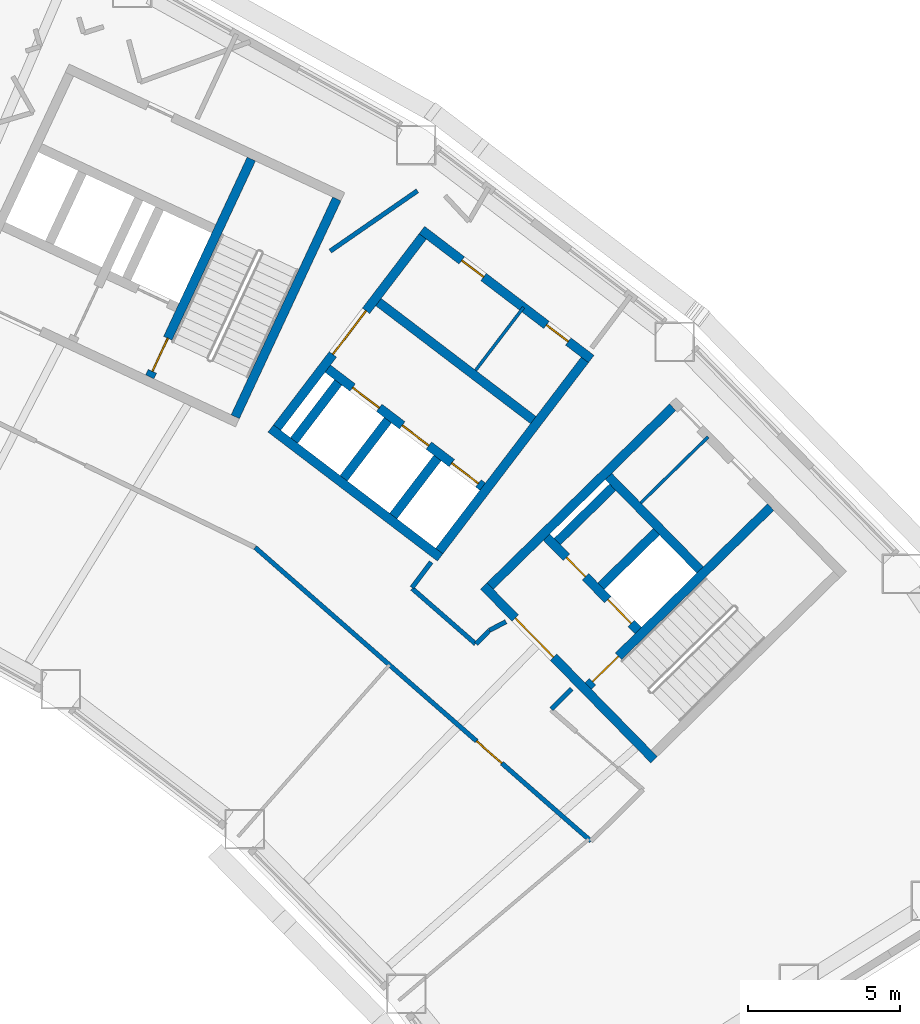
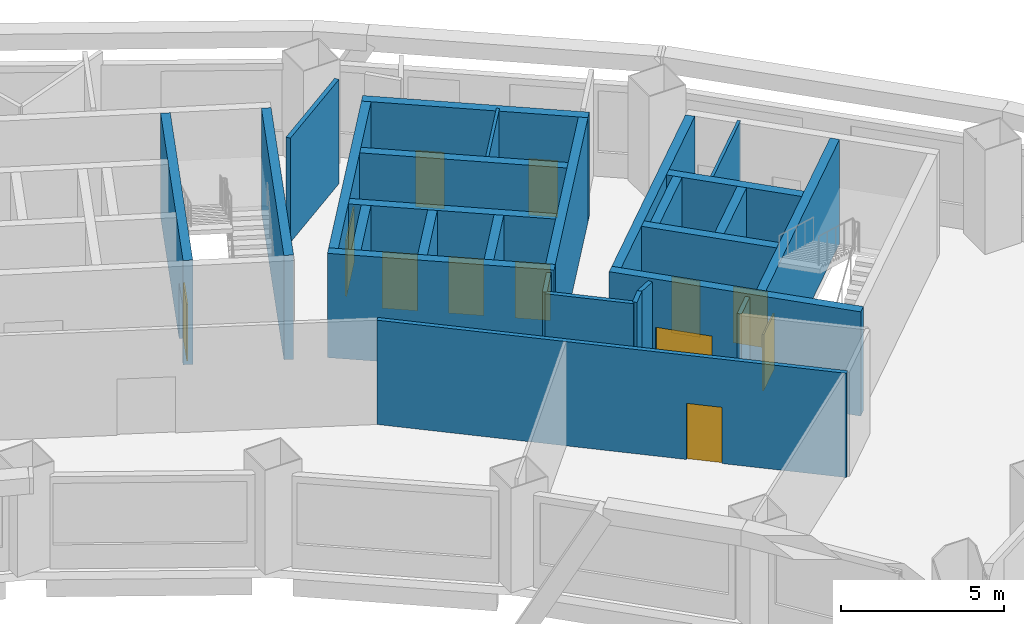
# One storey, part 6 of 11: 27 walls, 12 doors, 12 openings.
"""IFC4 building model written with IfcOpenShell, lengths in metres."""

from ifc_helpers import new_model, si_unit, direction, frame, frame_2d, origin, place, context, subcontext, project, spatial, rectangle, extrude, material, layer, layer_set, type_object, element, fill, save


model = new_model("IFC4")

# Units and contexts
model_context = context("Model", 3, precision=1e-05, world=origin(), true_north=direction((0.0, 1.0)))
body_context = subcontext(model_context, "Body", "Model", "MODEL_VIEW")
ifc_project = project(units=[si_unit("LENGTHUNIT", "METRE"), si_unit("AREAUNIT", "SQUARE_METRE"), si_unit("VOLUMEUNIT", "CUBIC_METRE"), si_unit("PLANEANGLEUNIT", "RADIAN"), si_unit("MASSUNIT", "GRAM", prefix="KILO")], contexts=[model_context])

# Site, building, storey
site_placement = place(None, origin())
site = spatial("IfcSite", under=ifc_project, at=site_placement, CompositionType="ELEMENT")
building_placement = place(site_placement, origin())
building = spatial("IfcBuilding", under=site, at=building_placement, Name="Tuul Gate Civic Tower", CompositionType="ELEMENT")
storey_placement = place(building_placement, frame((0.0, 0.0, 52.5)))
storey = spatial("IfcBuildingStorey", under=building, at=storey_placement, Name="Level 11", CompositionType="ELEMENT", Elevation=52.5)

# Wall, opening, door
ifc_material_1 = material(Name="Concrete C50/60", Category="concrete")
ifc_layer_1 = layer(ifc_material_1, 0.300048828125)
ifc_layer_set_1 = layer_set([ifc_layer_1], Name="Concrete C50/60")
wall_type_1 = type_object("IfcWallType", Name="Core wall C50/60", PredefinedType="SHEAR", material=ifc_layer_set_1)
wall_1_placement = place(storey_placement, frame((48.22509765625, -18.327880859375, 0.0), z_axis=(0.0, 0.0, 1.0), x_axis=(-0.700021979774, 0.714121297703, 0.0)))
wall_1 = element("IfcWall", 1, at=wall_1_placement, inside=storey, type_object=wall_type_1, Name="Core wall", PredefinedType="SHEAR", context=body_context, shape_type="SweptSolid", body=[
    extrude(rectangle(XDim=8.0, YDim=0.300048828125, at=frame_2d((4.0, 0.0))), origin(), (0.0, 0.0, 1.0), 3.89990234375),
])
opening_1_placement = place(wall_1_placement, frame((4.72509765625, 0.0, 0.0)))
opening_1 = element("IfcOpeningElement", 2, at=opening_1_placement, cuts=wall_1, Name="Opening LB-E1-LOBBY-1", PredefinedType="OPENING", context=body_context, shape_type="SweptSolid", body=[
    extrude(rectangle(XDim=1.800048828125, YDim=2.10009765625, at=frame_2d((0.89990234375, 1.050048828125))), frame((0.0, 0.16015625, 0.0), z_axis=(0.0, -1.0, 0.0), x_axis=(1.0, 0.0, 0.0)), (0.0, 0.0, 1.0), 0.320068359375),
])
ifc_material_2 = material(Name="Steel", Category="steel")
door_type_1 = type_object("IfcDoorType", Name="Lobby door", OperationType="DOUBLE_DOOR_SINGLE_SWING", PredefinedType="DOOR", material=ifc_material_2)
door_1_placement = place(opening_1_placement, frame((1.800048828125, 0.0, 0.0), z_axis=(0.0, 0.0, 1.0), x_axis=(-1.0, 0.0, 0.0)))
door_1 = element("IfcDoor", 3, at=door_1_placement, inside=storey, type_object=door_type_1, Name="Lobby door E1-LOBBY", OperationType="DOUBLE_DOOR_SINGLE_SWING", OverallHeight=2.10009765625, OverallWidth=1.800048828125, PredefinedType="DOOR", context=body_context, shape_type="SweptSolid", body=[
    extrude(rectangle(XDim=1.800048828125, YDim=2.10009765625, at=frame_2d((0.900146484375, 1.050048828125))), frame((0.0, 0.02490234375, 0.0), z_axis=(0.0, -1.0, 0.0), x_axis=(1.0, 0.0, 0.0)), (0.0, 0.0, 1.0), 0.050048828125),
])
fill(opening_1, door_1)

# Wall, openings, doors
wall_2_placement = place(storey_placement, frame((47.701904296875, -14.079833984375, 0.0), z_axis=(0.0, 0.0, 1.0), x_axis=(-0.700002721075, 0.714140175657, 0.0)))
wall_2 = element("IfcWall", 4, at=wall_2_placement, inside=storey, type_object=wall_type_1, Name="Core wall", PredefinedType="SHEAR", context=body_context, shape_type="SweptSolid", body=[
    extrude(rectangle(XDim=4.300048828125, YDim=0.300048828125, at=frame_2d((2.14990234375, 0.0))), origin(), (0.0, 0.0, 1.0), 3.89990234375),
])
opening_2_placement = place(wall_2_placement, frame((0.324951171875, 0.0, 0.0)))
opening_2 = element("IfcOpeningElement", 5, at=opening_2_placement, cuts=wall_2, Name="Opening LD-L4", PredefinedType="OPENING", context=body_context, shape_type="SweptSolid", body=[
    extrude(rectangle(XDim=1.10009765625, YDim=2.10009765625, at=frame_2d((0.550048828125, 1.050048828125))), frame((0.0, 0.16015625, 0.0), z_axis=(0.0, -1.0, 0.0), x_axis=(1.0, 0.0, 0.0)), (0.0, 0.0, 1.0), 0.320068359375),
])
opening_3_placement = place(wall_2_placement, frame((2.47509765625, 0.0, 0.0)))
opening_3 = element("IfcOpeningElement", 6, at=opening_3_placement, cuts=wall_2, Name="Opening FB-E1A2", PredefinedType="OPENING", context=body_context, shape_type="SweptSolid", body=[
    extrude(rectangle(XDim=0.89990234375, YDim=2.10009765625, at=frame_2d((0.449951171875, 1.050048828125))), frame((0.0, 0.16015625, 0.0), z_axis=(0.0, -1.0, 0.0), x_axis=(1.0, 0.0, 0.0)), (0.0, 0.0, 1.0), 0.320068359375),
])
ifc_material_3 = material(Name="Stainless steel", Category="steel")
door_type_2 = type_object("IfcDoorType", Name="Landing door", OperationType="DOUBLE_DOOR_SLIDING", PredefinedType="DOOR", material=ifc_material_3)
door_2_placement = place(opening_2_placement, origin())
door_2 = element("IfcDoor", 7, at=door_2_placement, inside=storey, type_object=door_type_2, Name="Low-rise lift L4 landing door", OperationType="DOUBLE_DOOR_SLIDING", OverallHeight=2.10009765625, OverallWidth=1.10009765625, PredefinedType="DOOR", context=body_context, shape_type="SweptSolid", body=[
    extrude(rectangle(XDim=1.10009765625, YDim=2.10009765625, at=frame_2d((0.550048828125, 1.050048828125))), frame((0.0, 0.02490234375, 0.0), z_axis=(0.0, -1.0, 0.0), x_axis=(1.0, 0.0, 0.0)), (0.0, 0.0, 1.0), 0.050048828125),
])
fill(opening_2, door_2)
ifc_material_4 = material(Name="Steel", Category="steel")
door_type_3 = type_object("IfcDoorType", Name="Store door", OperationType="NOTDEFINED", PredefinedType="DOOR", material=ifc_material_4)
door_3_placement = place(opening_3_placement, frame((0.89990234375, 0.0, 0.0), z_axis=(0.0, 0.0, 1.0), x_axis=(-1.0, 0.0, 0.0)))
door_3 = element("IfcDoor", 8, at=door_3_placement, inside=storey, type_object=door_type_3, Name="Store door E1A2", OperationType="SINGLE_SWING_LEFT", OverallHeight=2.10009765625, OverallWidth=0.89990234375, PredefinedType="DOOR", context=body_context, shape_type="SweptSolid", body=[
    extrude(rectangle(XDim=0.89990234375, YDim=2.10009765625, at=frame_2d((0.449951171875, 1.050048828125))), frame((0.0, 0.02490234375, 0.0), z_axis=(0.0, -1.0, 0.0), x_axis=(1.0, 0.0, 0.0)), (0.0, 0.0, 1.0), 0.050048828125),
])
fill(opening_3, door_3)

# Wall
wall_3_placement = place(storey_placement, frame((49.737060546875, -12.0849609375, 0.0), z_axis=(0.0, 0.0, 1.0), x_axis=(-0.700002721075, 0.714140175657, 0.0)))
element("IfcWall", 9, at=wall_3_placement, inside=storey, type_object=wall_type_1, Name="Core wall", PredefinedType="SHEAR", context=body_context, shape_type="SweptSolid", body=[
    extrude(rectangle(XDim=4.300048828125, YDim=0.300048828125, at=frame_2d((2.14990234375, 0.0))), origin(), (0.0, 0.0, 1.0), 3.89990234375),
])

# Wall, opening, door
wall_4_placement = place(storey_placement, frame((46.05712890625, -15.902099609375, 0.0), z_axis=(0.0, 0.0, 1.0), x_axis=(0.714134086973, 0.700008932674, 0.0)))
wall_4 = element("IfcWall", 10, at=wall_4_placement, inside=storey, type_object=wall_type_1, Name="Core wall", PredefinedType="SHEAR", context=body_context, shape_type="SweptSolid", body=[
    extrude(rectangle(XDim=8.400146484375, YDim=0.300048828125, at=frame_2d((4.2001953125, 0.0))), origin(), (0.0, 0.0, 1.0), 3.89990234375),
])
opening_4_placement = place(wall_4_placement, frame((0.199951171875, 0.0, 0.0)))
opening_4 = element("IfcOpeningElement", 11, at=opening_4_placement, cuts=wall_4, Name="Opening SD-ST-3", PredefinedType="OPENING", context=body_context, shape_type="SweptSolid", body=[
    extrude(rectangle(XDim=1.199951171875, YDim=2.10009765625, at=frame_2d((0.60009765625, 1.050048828125))), frame((0.0, 0.16015625, 0.0), z_axis=(0.0, -1.0, 0.0), x_axis=(1.0, 0.0, 0.0)), (0.0, 0.0, 1.0), 0.320068359375),
])
ifc_material_5 = material(Name="Steel", Category="steel")
door_type_4 = type_object("IfcDoorType", Name="Stair door", OperationType="NOTDEFINED", PredefinedType="DOOR", material=ifc_material_5)
door_4_placement = place(opening_4_placement, origin())
door_4 = element("IfcDoor", 12, at=door_4_placement, inside=storey, type_object=door_type_4, Name="Stair door ST-3", OperationType="SINGLE_SWING_LEFT", OverallHeight=2.10009765625, OverallWidth=1.199951171875, PredefinedType="DOOR", context=body_context, shape_type="SweptSolid", body=[
    extrude(rectangle(XDim=1.199951171875, YDim=2.10009765625, at=frame_2d((0.60009765625, 1.050048828125))), frame((0.0, 0.02490234375, 0.0), z_axis=(0.0, -1.0, 0.0), x_axis=(1.0, 0.0, 0.0)), (0.0, 0.0, 1.0), 0.050048828125),
])
fill(opening_4, door_4)

# Walls
wall_5_placement = place(storey_placement, frame((46.47900390625, -12.617919921875, 0.0), z_axis=(0.0, 0.0, 1.0), x_axis=(0.71410944159, 0.700034074479, 0.0)))
element("IfcWall", 13, at=wall_5_placement, inside=storey, type_object=wall_type_1, Name="Core wall", PredefinedType="SHEAR", context=body_context, shape_type="SweptSolid", body=[
    extrude(rectangle(XDim=2.5498046875, YDim=0.300048828125, at=frame_2d((1.27490234375, 0.0))), origin(), (0.0, 0.0, 1.0), 3.89990234375),
])
wall_6_placement = place(storey_placement, frame((45.0439453125, -11.154052734375, 0.0), z_axis=(0.0, 0.0, 1.0), x_axis=(0.714108498262, 0.700035036773, 0.0)))
element("IfcWall", 14, at=wall_6_placement, inside=storey, type_object=wall_type_1, Name="Core wall", PredefinedType="SHEAR", context=body_context, shape_type="SweptSolid", body=[
    extrude(rectangle(XDim=2.550048828125, YDim=0.300048828125, at=frame_2d((1.27490234375, 0.0))), origin(), (0.0, 0.0, 1.0), 3.89990234375),
])
wall_7_placement = place(storey_placement, frame((42.837158203125, -12.616943359375, 0.0), z_axis=(0.0, 0.0, 1.0), x_axis=(0.714119844755, 0.700023461983, 0.0)))
element("IfcWall", 15, at=wall_7_placement, inside=storey, type_object=wall_type_1, Name="Core wall", PredefinedType="SHEAR", context=body_context, shape_type="SweptSolid", body=[
    extrude(rectangle(XDim=8.39990234375, YDim=0.300048828125, at=frame_2d((4.199951171875, 0.0))), origin(), (0.0, 0.0, 1.0), 3.89990234375),
])
wall_8_placement = place(storey_placement, frame((34.455810546875, -7.05078125, 0.0), z_axis=(0.0, 0.0, 1.0), x_axis=(0.422570768258, 0.906329932096, 0.0)))
element("IfcWall", 16, at=wall_8_placement, inside=storey, type_object=wall_type_1, Name="Core wall", PredefinedType="SHEAR", context=body_context, shape_type="SweptSolid", body=[
    extrude(rectangle(XDim=7.900146484375, YDim=0.300048828125, at=frame_2d((3.9501953125, 0.0))), origin(), (0.0, 0.0, 1.0), 3.89990234375),
])

# Wall, opening, door
wall_9_placement = place(storey_placement, frame((31.646240234375, -5.740478515625, 0.0), z_axis=(0.0, 0.0, 1.0), x_axis=(0.422582604137, 0.906324413596, 0.0)))
wall_9 = element("IfcWall", 17, at=wall_9_placement, inside=storey, type_object=wall_type_1, Name="Core wall", PredefinedType="SHEAR", context=body_context, shape_type="SweptSolid", body=[
    extrude(rectangle(XDim=7.89990234375, YDim=0.300048828125, at=frame_2d((3.949951171875, 0.0))), origin(), (0.0, 0.0, 1.0), 3.89990234375),
])
opening_5_placement = place(wall_9_placement, frame((0.199951171875, 0.0, 0.0)))
opening_5 = element("IfcOpeningElement", 18, at=opening_5_placement, cuts=wall_9, Name="Opening SD-ST-4", PredefinedType="OPENING", context=body_context, shape_type="SweptSolid", body=[
    extrude(rectangle(XDim=1.199951171875, YDim=2.10009765625, at=frame_2d((0.60009765625, 1.050048828125))), frame((0.0, 0.16015625, 0.0), z_axis=(0.0, -1.0, 0.0), x_axis=(1.0, 0.0, 0.0)), (0.0, 0.0, 1.0), 0.320068359375),
])
door_5_placement = place(opening_5_placement, origin())
door_5 = element("IfcDoor", 19, at=door_5_placement, inside=storey, type_object=door_type_4, Name="Stair door ST-4", OperationType="SINGLE_SWING_LEFT", OverallHeight=2.10009765625, OverallWidth=1.199951171875, PredefinedType="DOOR", context=body_context, shape_type="SweptSolid", body=[
    extrude(rectangle(XDim=1.199951171875, YDim=2.10009765625, at=frame_2d((0.60009765625, 1.050048828125))), frame((0.0, 0.02490234375, 0.0), z_axis=(0.0, -1.0, 0.0), x_axis=(1.0, 0.0, 0.0)), (0.0, 0.0, 1.0), 0.050048828125),
])
fill(opening_5, door_5)

ifc_material_6 = material(Name="Gypsum board partition")
ifc_layer_2 = layer(ifc_material_6, 0.14990234375)
ifc_layer_set_2 = layer_set([ifc_layer_2], Name="Gypsum board partition")
wall_type_2 = type_object("IfcWallType", Name="Corridor wall P150", PredefinedType="PARTITIONING", material=ifc_layer_set_2)
wall_10_placement = place(storey_placement, frame((35.10888671875, -11.346923828125, 0.0), z_axis=(0.0, 0.0, 1.0), x_axis=(0.752737535639, -0.658320744349, 0.0)))
wall_10 = element("IfcWall", 20, at=wall_10_placement, inside=storey, type_object=wall_type_2, Name="p002", PredefinedType="PARTITIONING", context=body_context, shape_type="SweptSolid", body=[
    extrude(rectangle(XDim=14.66650390625, YDim=0.14990234375, at=frame_2d((7.333251953125, 0.0))), origin(), (0.0, 0.0, 1.0), 3.89990234375),
])
opening_6_placement = place(wall_10_placement, frame((9.671630859375, 0.0, 0.0)))
opening_6 = element("IfcOpeningElement", 21, at=opening_6_placement, cuts=wall_10, Name="Opening C-D06", PredefinedType="OPENING", context=body_context, shape_type="SweptSolid", body=[
    extrude(rectangle(XDim=1.10009765625, YDim=2.10009765625, at=frame_2d((0.550048828125, 1.050048828125))), frame((0.0, 0.0849609375, 0.0), z_axis=(0.0, -1.0, 0.0), x_axis=(1.0, 0.0, 0.0)), (0.0, 0.0, 1.0), 0.169921875),
])
ifc_material_7 = material(Name="Timber door leaf", Category="wood")
door_type_5 = type_object("IfcDoorType", Name="Door D11", OperationType="NOTDEFINED", PredefinedType="DOOR", material=ifc_material_7)
door_6_placement = place(opening_6_placement, frame((1.10009765625, 0.0, 0.0), z_axis=(0.0, 0.0, 1.0), x_axis=(-1.0, 0.0, 0.0)))
door_6 = element("IfcDoor", 22, at=door_6_placement, inside=storey, type_object=door_type_5, Name="Door C-D06", OperationType="SINGLE_SWING_LEFT", OverallHeight=2.10009765625, OverallWidth=1.10009765625, PredefinedType="DOOR", context=body_context, shape_type="SweptSolid", body=[
    extrude(rectangle(XDim=1.10009765625, YDim=2.10009765625, at=frame_2d((0.550048828125, 1.050048828125))), frame((0.0, 0.02490234375, 0.0), z_axis=(0.0, -1.0, 0.0), x_axis=(1.0, 0.0, 0.0)), (0.0, 0.0, 1.0), 0.050048828125),
])
fill(opening_6, door_6)

# Walls
wall_11_placement = place(storey_placement, frame((40.270263671875, -12.6962890625, 0.0), z_axis=(0.0, 0.0, 1.0), x_axis=(0.753483477201, -0.657466842955, 0.0)))
element("IfcWall", 23, at=wall_11_placement, inside=storey, type_object=wall_type_2, Name="p004", PredefinedType="PARTITIONING", context=body_context, shape_type="SweptSolid", body=[
    extrude(rectangle(XDim=2.766357421875, YDim=0.14990234375, at=frame_2d((1.38330078125, 0.0))), origin(), (0.0, 0.0, 1.0), 3.89990234375),
])
wall_12_placement = place(storey_placement, frame((44.8466796875, -16.659912109375, 0.0), z_axis=(0.0, 0.0, 1.0), x_axis=(0.710714398113, 0.703480663781, 0.0)))
element("IfcWall", 24, at=wall_12_placement, inside=storey, type_object=wall_type_2, Name="p006", PredefinedType="PARTITIONING", context=body_context, shape_type="SweptSolid", body=[
    extrude(rectangle(XDim=0.945068359375, YDim=0.14990234375, at=frame_2d((0.47265625, 0.0))), origin(), (0.0, 0.0, 1.0), 3.89990234375),
])
wall_13_placement = place(storey_placement, frame((42.809326171875, -14.0732421875, 0.0), z_axis=(0.0, 0.0, 1.0), x_axis=(0.886188428173, 0.463325015267, 0.0)))
element("IfcWall", 25, at=wall_13_placement, inside=storey, type_object=wall_type_2, Name="p007", PredefinedType="PARTITIONING", context=body_context, shape_type="SweptSolid", body=[
    extrude(rectangle(XDim=0.615478515625, YDim=0.14990234375, at=frame_2d((0.3076171875, 0.0))), origin(), (0.0, 0.0, 1.0), 3.89990234375),
])
wall_14_placement = place(storey_placement, frame((42.37890625, -14.517578125, 0.0), z_axis=(0.0, 0.0, 1.0), x_axis=(0.69576976686, 0.718264875602, 0.0)))
element("IfcWall", 26, at=wall_14_placement, inside=storey, type_object=wall_type_2, Name="p008", PredefinedType="PARTITIONING", context=body_context, shape_type="SweptSolid", body=[
    extrude(rectangle(XDim=0.61865234375, YDim=0.14990234375, at=frame_2d((0.309326171875, 0.0))), origin(), (0.0, 0.0, 1.0), 3.89990234375),
])
wall_15_placement = place(storey_placement, frame((40.26708984375, -12.668212890625, 0.0), z_axis=(0.0, 0.0, 1.0), x_axis=(0.599701854121, 0.800223522626, 0.0)))
element("IfcWall", 27, at=wall_15_placement, inside=storey, type_object=wall_type_2, Name="p009", PredefinedType="PARTITIONING", context=body_context, shape_type="SweptSolid", body=[
    extrude(rectangle(XDim=1.04833984375, YDim=0.14990234375, at=frame_2d((0.524169921875, 0.0))), origin(), (0.0, 0.0, 1.0), 3.89990234375),
])
wall_16_placement = place(storey_placement, frame((37.5791015625, -1.60546875, 0.0), z_axis=(0.0, 0.0, 1.0), x_axis=(0.822545454225, 0.568699372018, 0.0)))
element("IfcWall", 28, at=wall_16_placement, inside=storey, type_object=wall_type_2, Name="p014", PredefinedType="PARTITIONING", context=body_context, shape_type="SweptSolid", body=[
    extrude(rectangle(XDim=3.481689453125, YDim=0.14990234375, at=frame_2d((1.74072265625, 0.0))), origin(), (0.0, 0.0, 1.0), 3.89990234375),
])
ifc_material_8 = material(Name="Concrete C40/50", Category="concrete")
ifc_layer_3 = layer(ifc_material_8, 0.300048828125)
ifc_layer_set_3 = layer_set([ifc_layer_3], Name="Concrete C40/50")
wall_type_3 = type_object("IfcWallType", Name="Lift shaft wall C40/50", PredefinedType="STANDARD", material=ifc_layer_set_3)
wall_17_placement = place(storey_placement, frame((41.19189453125, -11.677734375, 0.0), z_axis=(0.0, 0.0, 1.0), x_axis=(-0.795563000331, 0.605870871147, 0.0)))
element("IfcWall", 29, at=wall_17_placement, inside=storey, type_object=wall_type_3, Name="Shaft wall", PredefinedType="STANDARD", context=body_context, shape_type="SweptSolid", body=[
    extrude(rectangle(XDim=7.000244140625, YDim=0.300048828125, at=frame_2d((3.5, 0.0))), origin(), (0.0, 0.0, 1.0), 3.89990234375),
])

# Wall, openings, doors
wall_18_placement = place(storey_placement, frame((42.5888671875, -9.34765625, 0.0), z_axis=(0.0, 0.0, 1.0), x_axis=(-0.795584062101, 0.605843214149, 0.0)))
wall_18 = element("IfcWall", 30, at=wall_18_placement, inside=storey, type_object=wall_type_3, Name="Shaft wall", PredefinedType="STANDARD", context=body_context, shape_type="SweptSolid", body=[
    extrude(rectangle(XDim=6.400146484375, YDim=0.300048828125, at=frame_2d((3.2001953125, 0.0))), origin(), (0.0, 0.0, 1.0), 3.89990234375),
])
opening_7_placement = place(wall_18_placement, frame((0.175048828125, 0.0, 0.0)))
opening_7 = element("IfcOpeningElement", 31, at=opening_7_placement, cuts=wall_18, Name="Opening LD-L1", PredefinedType="OPENING", context=body_context, shape_type="SweptSolid", body=[
    extrude(rectangle(XDim=1.10009765625, YDim=2.10009765625, at=frame_2d((0.550048828125, 1.050048828125))), frame((0.0, 0.16015625, 0.0), z_axis=(0.0, -1.0, 0.0), x_axis=(1.0, 0.0, 0.0)), (0.0, 0.0, 1.0), 0.320068359375),
])
opening_8_placement = place(wall_18_placement, frame((2.22509765625, 0.0, 0.0)))
opening_8 = element("IfcOpeningElement", 32, at=opening_8_placement, cuts=wall_18, Name="Opening LD-L2", PredefinedType="OPENING", context=body_context, shape_type="SweptSolid", body=[
    extrude(rectangle(XDim=1.10009765625, YDim=2.10009765625, at=frame_2d((0.550048828125, 1.050048828125))), frame((0.0, 0.16015625, 0.0), z_axis=(0.0, -1.0, 0.0), x_axis=(1.0, 0.0, 0.0)), (0.0, 0.0, 1.0), 0.320068359375),
])
opening_9_placement = place(wall_18_placement, frame((4.27490234375, 0.0, 0.0)))
opening_9 = element("IfcOpeningElement", 33, at=opening_9_placement, cuts=wall_18, Name="Opening LD-L3", PredefinedType="OPENING", context=body_context, shape_type="SweptSolid", body=[
    extrude(rectangle(XDim=1.10009765625, YDim=2.10009765625, at=frame_2d((0.550048828125, 1.050048828125))), frame((0.0, 0.16015625, 0.0), z_axis=(0.0, -1.0, 0.0), x_axis=(1.0, 0.0, 0.0)), (0.0, 0.0, 1.0), 0.320068359375),
])
door_7_placement = place(opening_7_placement, origin())
door_7 = element("IfcDoor", 34, at=door_7_placement, inside=storey, type_object=door_type_2, Name="Low-rise lift L1 landing door", OperationType="DOUBLE_DOOR_SLIDING", OverallHeight=2.10009765625, OverallWidth=1.10009765625, PredefinedType="DOOR", context=body_context, shape_type="SweptSolid", body=[
    extrude(rectangle(XDim=1.10009765625, YDim=2.10009765625, at=frame_2d((0.550048828125, 1.050048828125))), frame((0.0, 0.02490234375, 0.0), z_axis=(0.0, -1.0, 0.0), x_axis=(1.0, 0.0, 0.0)), (0.0, 0.0, 1.0), 0.050048828125),
])
fill(opening_7, door_7)
door_8_placement = place(opening_8_placement, origin())
door_8 = element("IfcDoor", 35, at=door_8_placement, inside=storey, type_object=door_type_2, Name="Low-rise lift L2 landing door", OperationType="DOUBLE_DOOR_SLIDING", OverallHeight=2.10009765625, OverallWidth=1.10009765625, PredefinedType="DOOR", context=body_context, shape_type="SweptSolid", body=[
    extrude(rectangle(XDim=1.10009765625, YDim=2.10009765625, at=frame_2d((0.550048828125, 1.050048828125))), frame((0.0, 0.02490234375, 0.0), z_axis=(0.0, -1.0, 0.0), x_axis=(1.0, 0.0, 0.0)), (0.0, 0.0, 1.0), 0.050048828125),
])
fill(opening_8, door_8)
door_9_placement = place(opening_9_placement, origin())
door_9 = element("IfcDoor", 36, at=door_9_placement, inside=storey, type_object=door_type_2, Name="Low-rise lift L3 landing door", OperationType="DOUBLE_DOOR_SLIDING", OverallHeight=2.10009765625, OverallWidth=1.10009765625, PredefinedType="DOOR", context=body_context, shape_type="SweptSolid", body=[
    extrude(rectangle(XDim=1.10009765625, YDim=2.10009765625, at=frame_2d((0.550048828125, 1.050048828125))), frame((0.0, 0.02490234375, 0.0), z_axis=(0.0, -1.0, 0.0), x_axis=(1.0, 0.0, 0.0)), (0.0, 0.0, 1.0), 0.050048828125),
])
fill(opening_9, door_9)

# Wall
wall_19_placement = place(storey_placement, frame((44.254638671875, -7.15966796875, 0.0), z_axis=(0.0, 0.0, 1.0), x_axis=(-0.795565675562, 0.605867358312, 0.0)))
element("IfcWall", 37, at=wall_19_placement, inside=storey, type_object=wall_type_3, Name="Shaft wall", PredefinedType="STANDARD", context=body_context, shape_type="SweptSolid", body=[
    extrude(rectangle(XDim=6.400146484375, YDim=0.300048828125, at=frame_2d((3.2001953125, 0.0))), origin(), (0.0, 0.0, 1.0), 3.89990234375),
])

# Wall, openings, doors
wall_20_placement = place(storey_placement, frame((46.1591796875, -5.1533203125, 0.0), z_axis=(0.0, 0.0, 1.0), x_axis=(-0.795579811045, 0.605848796531, 0.0)))
wall_20 = element("IfcWall", 38, at=wall_20_placement, inside=storey, type_object=wall_type_3, Name="Shaft wall", PredefinedType="STANDARD", context=body_context, shape_type="SweptSolid", body=[
    extrude(rectangle(XDim=7.0, YDim=0.300048828125, at=frame_2d((3.5, 0.0))), origin(), (0.0, 0.0, 1.0), 3.89990234375),
])
opening_10_placement = place(wall_20_placement, frame((0.949951171875, 0.0, 0.0)))
opening_10 = element("IfcOpeningElement", 39, at=opening_10_placement, cuts=wall_20, Name="Opening C-D15", PredefinedType="OPENING", context=body_context, shape_type="SweptSolid", body=[
    extrude(rectangle(XDim=0.89990234375, YDim=2.10009765625, at=frame_2d((0.449951171875, 1.050048828125))), frame((0.0, 0.16015625, 0.0), z_axis=(0.0, -1.0, 0.0), x_axis=(1.0, 0.0, 0.0)), (0.0, 0.0, 1.0), 0.320068359375),
])
opening_11_placement = place(wall_20_placement, frame((4.449951171875, 0.0, 0.0)))
opening_11 = element("IfcOpeningElement", 40, at=opening_11_placement, cuts=wall_20, Name="Opening C-D16", PredefinedType="OPENING", context=body_context, shape_type="SweptSolid", body=[
    extrude(rectangle(XDim=0.89990234375, YDim=2.10009765625, at=frame_2d((0.449951171875, 1.050048828125))), frame((0.0, 0.16015625, 0.0), z_axis=(0.0, -1.0, 0.0), x_axis=(1.0, 0.0, 0.0)), (0.0, 0.0, 1.0), 0.320068359375),
])
ifc_material_9 = material(Name="Timber door leaf", Category="wood")
door_type_6 = type_object("IfcDoorType", Name="Door D09", OperationType="NOTDEFINED", PredefinedType="DOOR", material=ifc_material_9)
door_10_placement = place(opening_10_placement, origin())
door_10 = element("IfcDoor", 41, at=door_10_placement, inside=storey, type_object=door_type_6, Name="Door C-D15", OperationType="SINGLE_SWING_LEFT", OverallHeight=2.10009765625, OverallWidth=0.89990234375, PredefinedType="DOOR", context=body_context, shape_type="SweptSolid", body=[
    extrude(rectangle(XDim=0.89990234375, YDim=2.10009765625, at=frame_2d((0.449951171875, 1.050048828125))), frame((0.0, 0.02490234375, 0.0), z_axis=(0.0, -1.0, 0.0), x_axis=(1.0, 0.0, 0.0)), (0.0, 0.0, 1.0), 0.050048828125),
])
fill(opening_10, door_10)
door_11_placement = place(opening_11_placement, origin())
door_11 = element("IfcDoor", 42, at=door_11_placement, inside=storey, type_object=door_type_6, Name="Door C-D16", OperationType="SINGLE_SWING_RIGHT", OverallHeight=2.10009765625, OverallWidth=0.89990234375, PredefinedType="DOOR", context=body_context, shape_type="SweptSolid", body=[
    extrude(rectangle(XDim=0.89990234375, YDim=2.10009765625, at=frame_2d((0.449951171875, 1.050048828125))), frame((0.0, 0.02490234375, 0.0), z_axis=(0.0, -1.0, 0.0), x_axis=(1.0, 0.0, 0.0)), (0.0, 0.0, 1.0), 0.050048828125),
])
fill(opening_11, door_11)

# Walls
wall_21_placement = place(storey_placement, frame((41.163330078125, -11.46728515625, 0.0), z_axis=(0.0, 0.0, 1.0), x_axis=(0.605784332699, 0.795628897324, 0.0)))
element("IfcWall", 43, at=wall_21_placement, inside=storey, type_object=wall_type_3, Name="Shaft wall", PredefinedType="STANDARD", context=body_context, shape_type="SweptSolid", body=[
    extrude(rectangle(XDim=7.89990234375, YDim=0.300048828125, at=frame_2d((3.949951171875, 0.0))), origin(), (0.0, 0.0, 1.0), 3.89990234375),
])
wall_22_placement = place(storey_placement, frame((39.65185546875, -10.31640625, 0.0), z_axis=(0.0, 0.0, 1.0), x_axis=(0.605745892068, 0.79565816419, 0.0)))
element("IfcWall", 44, at=wall_22_placement, inside=storey, type_object=wall_type_3, Name="Shaft wall", PredefinedType="STANDARD", context=body_context, shape_type="SweptSolid", body=[
    extrude(rectangle(XDim=2.400146484375, YDim=0.300048828125, at=frame_2d((1.2001953125, 0.0))), origin(), (0.0, 0.0, 1.0), 3.89990234375),
])
wall_23_placement = place(storey_placement, frame((38.02099609375, -9.07421875, 0.0), z_axis=(0.0, 0.0, 1.0), x_axis=(0.605730519254, 0.795669867498, 0.0)))
element("IfcWall", 45, at=wall_23_placement, inside=storey, type_object=wall_type_3, Name="Shaft wall", PredefinedType="STANDARD", context=body_context, shape_type="SweptSolid", body=[
    extrude(rectangle(XDim=2.399658203125, YDim=0.300048828125, at=frame_2d((1.19970703125, 0.0))), origin(), (0.0, 0.0, 1.0), 3.89990234375),
])
wall_24_placement = place(storey_placement, frame((36.389892578125, -7.832275390625, 0.0), z_axis=(0.0, 0.0, 1.0), x_axis=(0.605745892068, 0.79565816419, 0.0)))
element("IfcWall", 46, at=wall_24_placement, inside=storey, type_object=wall_type_3, Name="Shaft wall", PredefinedType="STANDARD", context=body_context, shape_type="SweptSolid", body=[
    extrude(rectangle(XDim=2.400146484375, YDim=0.300048828125, at=frame_2d((1.2001953125, 0.0))), origin(), (0.0, 0.0, 1.0), 3.89990234375),
])

# Wall, opening, door
wall_25_placement = place(storey_placement, frame((35.8330078125, -7.408203125, 0.0), z_axis=(0.0, 0.0, 1.0), x_axis=(0.605769437763, 0.795640237967, 0.0)))
wall_25 = element("IfcWall", 47, at=wall_25_placement, inside=storey, type_object=wall_type_3, Name="Shaft wall", PredefinedType="STANDARD", context=body_context, shape_type="SweptSolid", body=[
    extrude(rectangle(XDim=7.900146484375, YDim=0.300048828125, at=frame_2d((3.9501953125, 0.0))), origin(), (0.0, 0.0, 1.0), 3.89990234375),
])
opening_12_placement = place(wall_25_placement, frame((3.02490234375, 0.0, 0.0)))
opening_12 = element("IfcOpeningElement", 48, at=opening_12_placement, cuts=wall_25, Name="Opening LB-E2-LOBBY-1", PredefinedType="OPENING", context=body_context, shape_type="SweptSolid", body=[
    extrude(rectangle(XDim=1.800048828125, YDim=2.10009765625, at=frame_2d((0.89990234375, 1.050048828125))), frame((0.0, 0.16015625, 0.0), z_axis=(0.0, -1.0, 0.0), x_axis=(1.0, 0.0, 0.0)), (0.0, 0.0, 1.0), 0.320068359375),
])
door_12_placement = place(opening_12_placement, frame((1.800048828125, 0.0, 0.0), z_axis=(0.0, 0.0, 1.0), x_axis=(-1.0, 0.0, 0.0)))
door_12 = element("IfcDoor", 49, at=door_12_placement, inside=storey, type_object=door_type_1, Name="Lobby door E2-LOBBY", OperationType="DOUBLE_DOOR_SINGLE_SWING", OverallHeight=2.10009765625, OverallWidth=1.800048828125, PredefinedType="DOOR", context=body_context, shape_type="SweptSolid", body=[
    extrude(rectangle(XDim=1.800048828125, YDim=2.10009765625, at=frame_2d((0.900146484375, 1.050048828125))), frame((0.0, 0.02490234375, 0.0), z_axis=(0.0, -1.0, 0.0), x_axis=(1.0, 0.0, 0.0)), (0.0, 0.0, 1.0), 0.050048828125),
])
fill(opening_12, door_12)

# Walls
ifc_material_10 = material(Name="Gypsum board partition")
ifc_layer_4 = layer(ifc_material_10, 0.10009765625)
ifc_layer_set_4 = layer_set([ifc_layer_4], Name="Gypsum board partition")
wall_type_4 = type_object("IfcWallType", Name="Partition P100", PredefinedType="PARTITIONING", material=ifc_layer_set_4)
wall_26_placement = place(storey_placement, frame((42.3564453125, -5.525634765625, 0.0), z_axis=(0.0, 0.0, 1.0), x_axis=(0.605768745095, 0.795640765337, 0.0)))
element("IfcWall", 50, at=wall_26_placement, inside=storey, type_object=wall_type_4, Name="bE2-BAND-0", PredefinedType="PARTITIONING", context=body_context, shape_type="SweptSolid", body=[
    extrude(rectangle(XDim=2.599853515625, YDim=0.10009765625, at=frame_2d((1.2998046875, 0.0))), origin(), (0.0, 0.0, 1.0), 3.89990234375),
])
wall_27_placement = place(storey_placement, frame((47.787841796875, -9.882080078125, 0.0), z_axis=(0.0, 0.0, 1.0), x_axis=(0.714119924869, 0.700023380256, 0.0)))
element("IfcWall", 51, at=wall_27_placement, inside=storey, type_object=wall_type_4, Name="bE1-BAND-0", PredefinedType="PARTITIONING", context=body_context, shape_type="SweptSolid", body=[
    extrude(rectangle(XDim=3.10009765625, YDim=0.10009765625, at=frame_2d((1.550048828125, 0.0))), origin(), (0.0, 0.0, 1.0), 3.89990234375),
])

save(model, "model.ifc")
